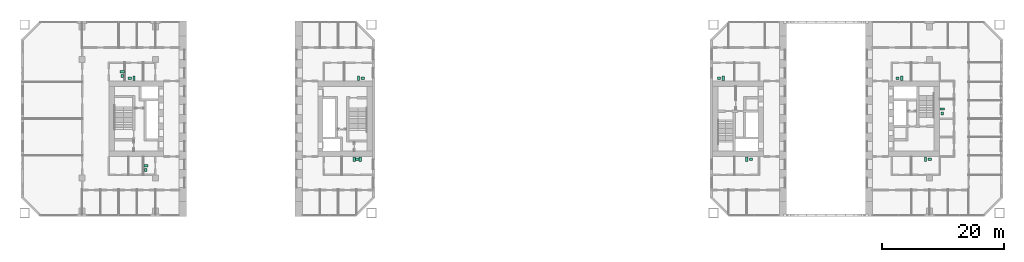
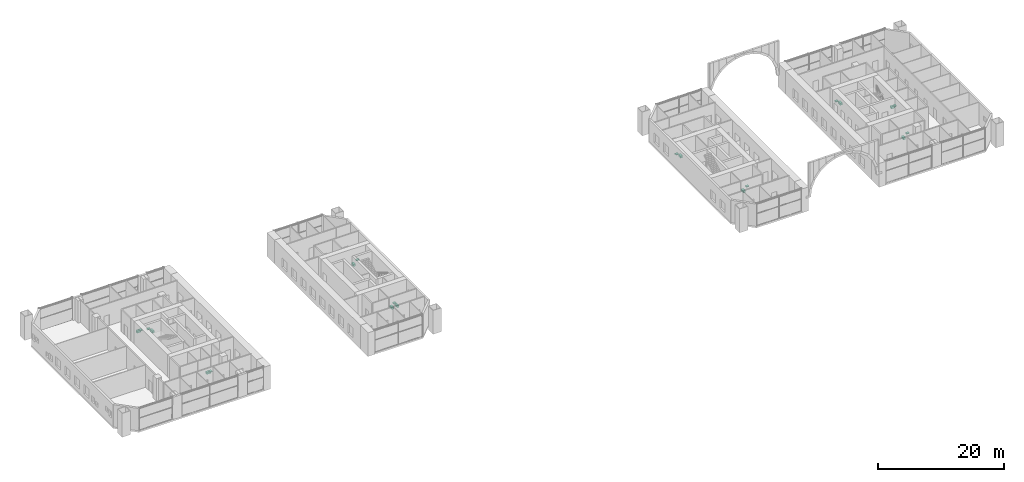
# One storey, part 21 of 21: 21 sanitary terminals.
"""IFC4 building model written with IfcOpenShell, lengths in metres."""

from ifc_helpers import new_model, si_unit, direction, frame, origin, origin_2d, place, context, subcontext, project, spatial, rectangle, extrude, element, save


model = new_model("IFC4")

# Units and contexts
model_context = context("Model", 3, precision=1e-05, world=origin(), true_north=direction((0.0, 1.0)))
body_context = subcontext(model_context, "Body", "Model", "MODEL_VIEW")
ifc_project = project(units=[si_unit("LENGTHUNIT", "METRE"), si_unit("AREAUNIT", "SQUARE_METRE"), si_unit("VOLUMEUNIT", "CUBIC_METRE"), si_unit("PLANEANGLEUNIT", "RADIAN"), si_unit("MASSUNIT", "GRAM", prefix="KILO")], contexts=[model_context])

# Site, building, storey
site_placement = place(None, origin())
site = spatial("IfcSite", under=ifc_project, at=site_placement, CompositionType="ELEMENT")
building_placement = place(site_placement, origin())
building = spatial("IfcBuilding", under=site, at=building_placement, Name="Tuart Gate Housing", CompositionType="ELEMENT")
storey_placement = place(building_placement, frame((0.0, 0.0, 5.5)))
storey = spatial("IfcBuildingStorey", under=building, at=storey_placement, Name="L01", CompositionType="ELEMENT", Elevation=5.5)

# Sanitary terminals
sanitary_terminal_1_placement = place(storey_placement, frame((38.449951171875, 62.300048828125, 0.0), z_axis=(0.0, 0.0, 1.0), x_axis=(1.0, 0.0, 0.0)))
element("IfcSanitaryTerminal", 1, at=sanitary_terminal_1_placement, inside=storey, Name="Water closet", PredefinedType="TOILETPAN", context=body_context, shape_type="SweptSolid", body=[
    extrude(rectangle(XDim=0.699951171875, YDim=0.39990234375, at=origin_2d()), origin(), (0.0, 0.0, 1.0), 0.39990234375),
])
sanitary_terminal_2_placement = place(storey_placement, frame((38.449951171875, 61.60009765625, 0.75), z_axis=(0.0, 0.0, 1.0), x_axis=(1.0, 0.0, 0.0)))
element("IfcSanitaryTerminal", 2, at=sanitary_terminal_2_placement, inside=storey, Name="Wash basin", PredefinedType="WASHHANDBASIN", context=body_context, shape_type="SweptSolid", body=[
    extrude(rectangle(XDim=0.39990234375, YDim=0.5, at=origin_2d()), origin(), (0.0, 0.0, 1.0), 0.199951171875),
])
sanitary_terminal_3_placement = place(storey_placement, frame((34.550048828125, 77.699951171875, 0.0), z_axis=(0.0, 0.0, 1.0), x_axis=(1.0, 0.0, 0.0)))
element("IfcSanitaryTerminal", 3, at=sanitary_terminal_3_placement, inside=storey, Name="Water closet", PredefinedType="TOILETPAN", context=body_context, shape_type="SweptSolid", body=[
    extrude(rectangle(XDim=0.699951171875, YDim=0.39990234375, at=origin_2d()), origin(), (0.0, 0.0, 1.0), 0.39990234375),
])
sanitary_terminal_4_placement = place(storey_placement, frame((34.550048828125, 77.0, 0.75), z_axis=(0.0, 0.0, 1.0), x_axis=(1.0, 0.0, 0.0)))
element("IfcSanitaryTerminal", 4, at=sanitary_terminal_4_placement, inside=storey, Name="Wash basin", PredefinedType="WASHHANDBASIN", context=body_context, shape_type="SweptSolid", body=[
    extrude(rectangle(XDim=0.39990234375, YDim=0.5, at=origin_2d()), origin(), (0.0, 0.0, 1.0), 0.199951171875),
])
sanitary_terminal_5_placement = place(storey_placement, frame((36.5, 76.64990234375, 0.0), z_axis=(0.0, 0.0, 1.0), x_axis=(1.0, 0.0, 0.0)))
element("IfcSanitaryTerminal", 5, at=sanitary_terminal_5_placement, inside=storey, Name="Water closet", PredefinedType="TOILETPAN", context=body_context, shape_type="SweptSolid", body=[
    extrude(rectangle(XDim=0.39990234375, YDim=0.699951171875, at=origin_2d()), origin(), (0.0, 0.0, 1.0), 0.39990234375),
])
sanitary_terminal_6_placement = place(storey_placement, frame((35.800048828125, 76.64990234375, 0.75), z_axis=(0.0, 0.0, 1.0), x_axis=(1.0, 0.0, 0.0)))
element("IfcSanitaryTerminal", 6, at=sanitary_terminal_6_placement, inside=storey, Name="Wash basin", PredefinedType="WASHHANDBASIN", context=body_context, shape_type="SweptSolid", body=[
    extrude(rectangle(XDim=0.5, YDim=0.39990234375, at=origin_2d()), origin(), (0.0, 0.0, 1.0), 0.199951171875),
])
for number, where, z_axis, x_axis, name in (
    (7, (72.64501953125, 63.35009765625, 0.0), (0.0, 0.0, 1.0), (1.0, 0.0, 0.0), "Water closet"),
    (8, (73.594970703125, 63.35009765625, 0.0), (0.0, 0.0, 1.0), (1.0, 0.0, 0.0), "Water closet"),
):
    element("IfcSanitaryTerminal", number, at=place(storey_placement, frame(where, z_axis=z_axis, x_axis=x_axis)), inside=storey, Name=name, PredefinedType="TOILETPAN", context=body_context, shape_type="SweptSolid", body=[
        extrude(rectangle(XDim=0.39990234375, YDim=0.699951171875, at=origin_2d()), origin(), (0.0, 0.0, 1.0), 0.39990234375),
    ])
sanitary_terminal_7_placement = place(storey_placement, frame((73.1201171875, 63.35009765625, 0.75), z_axis=(0.0, 0.0, 1.0), x_axis=(1.0, 0.0, 0.0)))
element("IfcSanitaryTerminal", 9, at=sanitary_terminal_7_placement, inside=storey, Name="Wash basin", PredefinedType="WASHHANDBASIN", context=body_context, shape_type="SweptSolid", body=[
    extrude(rectangle(XDim=0.5, YDim=0.39990234375, at=origin_2d()), origin(), (0.0, 0.0, 1.0), 0.199951171875),
])
sanitary_terminal_8_placement = place(storey_placement, frame((73.320068359375, 76.64990234375, 0.0), z_axis=(0.0, 0.0, 1.0), x_axis=(1.0, 0.0, 0.0)))
element("IfcSanitaryTerminal", 10, at=sanitary_terminal_8_placement, inside=storey, Name="Water closet", PredefinedType="TOILETPAN", context=body_context, shape_type="SweptSolid", body=[
    extrude(rectangle(XDim=0.39990234375, YDim=0.699951171875, at=origin_2d()), origin(), (0.0, 0.0, 1.0), 0.39990234375),
])
sanitary_terminal_9_placement = place(storey_placement, frame((74.02001953125, 76.64990234375, 0.75), z_axis=(0.0, 0.0, 1.0), x_axis=(1.0, 0.0, 0.0)))
element("IfcSanitaryTerminal", 11, at=sanitary_terminal_9_placement, inside=storey, Name="Wash basin", PredefinedType="WASHHANDBASIN", context=body_context, shape_type="SweptSolid", body=[
    extrude(rectangle(XDim=0.5, YDim=0.39990234375, at=origin_2d()), origin(), (0.0, 0.0, 1.0), 0.199951171875),
])
sanitary_terminal_10_placement = place(storey_placement, frame((137.0, 63.35009765625, 0.0), z_axis=(0.0, 0.0, 1.0), x_axis=(1.0, 0.0, 0.0)))
element("IfcSanitaryTerminal", 12, at=sanitary_terminal_10_placement, inside=storey, Name="Water closet", PredefinedType="TOILETPAN", context=body_context, shape_type="SweptSolid", body=[
    extrude(rectangle(XDim=0.39990234375, YDim=0.699951171875, at=origin_2d()), origin(), (0.0, 0.0, 1.0), 0.39990234375),
])
sanitary_terminal_11_placement = place(storey_placement, frame((137.699951171875, 63.35009765625, 0.75), z_axis=(0.0, 0.0, 1.0), x_axis=(1.0, 0.0, 0.0)))
element("IfcSanitaryTerminal", 13, at=sanitary_terminal_11_placement, inside=storey, Name="Wash basin", PredefinedType="WASHHANDBASIN", context=body_context, shape_type="SweptSolid", body=[
    extrude(rectangle(XDim=0.5, YDim=0.39990234375, at=origin_2d()), origin(), (0.0, 0.0, 1.0), 0.199951171875),
])
sanitary_terminal_12_placement = place(storey_placement, frame((133.179931640625, 76.64990234375, 0.0), z_axis=(0.0, 0.0, 1.0), x_axis=(1.0, 0.0, 0.0)))
element("IfcSanitaryTerminal", 14, at=sanitary_terminal_12_placement, inside=storey, Name="Water closet", PredefinedType="TOILETPAN", context=body_context, shape_type="SweptSolid", body=[
    extrude(rectangle(XDim=0.39990234375, YDim=0.699951171875, at=origin_2d()), origin(), (0.0, 0.0, 1.0), 0.39990234375),
])
sanitary_terminal_13_placement = place(storey_placement, frame((132.47998046875, 76.64990234375, 0.75), z_axis=(0.0, 0.0, 1.0), x_axis=(1.0, 0.0, 0.0)))
element("IfcSanitaryTerminal", 15, at=sanitary_terminal_13_placement, inside=storey, Name="Wash basin", PredefinedType="WASHHANDBASIN", context=body_context, shape_type="SweptSolid", body=[
    extrude(rectangle(XDim=0.5, YDim=0.39990234375, at=origin_2d()), origin(), (0.0, 0.0, 1.0), 0.199951171875),
])
sanitary_terminal_14_placement = place(storey_placement, frame((166.320068359375, 63.35009765625, 0.0), z_axis=(0.0, 0.0, 1.0), x_axis=(1.0, 0.0, 0.0)))
element("IfcSanitaryTerminal", 16, at=sanitary_terminal_14_placement, inside=storey, Name="Water closet", PredefinedType="TOILETPAN", context=body_context, shape_type="SweptSolid", body=[
    extrude(rectangle(XDim=0.39990234375, YDim=0.699951171875, at=origin_2d()), origin(), (0.0, 0.0, 1.0), 0.39990234375),
])
sanitary_terminal_15_placement = place(storey_placement, frame((167.02001953125, 63.35009765625, 0.75), z_axis=(0.0, 0.0, 1.0), x_axis=(1.0, 0.0, 0.0)))
element("IfcSanitaryTerminal", 17, at=sanitary_terminal_15_placement, inside=storey, Name="Wash basin", PredefinedType="WASHHANDBASIN", context=body_context, shape_type="SweptSolid", body=[
    extrude(rectangle(XDim=0.5, YDim=0.39990234375, at=origin_2d()), origin(), (0.0, 0.0, 1.0), 0.199951171875),
])
sanitary_terminal_16_placement = place(storey_placement, frame((162.39990234375, 76.64990234375, 0.0), z_axis=(0.0, 0.0, 1.0), x_axis=(1.0, 0.0, 0.0)))
element("IfcSanitaryTerminal", 18, at=sanitary_terminal_16_placement, inside=storey, Name="Water closet", PredefinedType="TOILETPAN", context=body_context, shape_type="SweptSolid", body=[
    extrude(rectangle(XDim=0.39990234375, YDim=0.699951171875, at=origin_2d()), origin(), (0.0, 0.0, 1.0), 0.39990234375),
])
sanitary_terminal_17_placement = place(storey_placement, frame((161.699951171875, 76.64990234375, 0.75), z_axis=(0.0, 0.0, 1.0), x_axis=(1.0, 0.0, 0.0)))
element("IfcSanitaryTerminal", 19, at=sanitary_terminal_17_placement, inside=storey, Name="Wash basin", PredefinedType="WASHHANDBASIN", context=body_context, shape_type="SweptSolid", body=[
    extrude(rectangle(XDim=0.5, YDim=0.39990234375, at=origin_2d()), origin(), (0.0, 0.0, 1.0), 0.199951171875),
])
sanitary_terminal_18_placement = place(storey_placement, frame((169.090087890625, 71.60009765625, 0.0), z_axis=(0.0, 0.0, 1.0), x_axis=(1.0, 0.0, 0.0)))
element("IfcSanitaryTerminal", 20, at=sanitary_terminal_18_placement, inside=storey, Name="Water closet", PredefinedType="TOILETPAN", context=body_context, shape_type="SweptSolid", body=[
    extrude(rectangle(XDim=0.699951171875, YDim=0.39990234375, at=origin_2d()), origin(), (0.0, 0.0, 1.0), 0.39990234375),
])
sanitary_terminal_19_placement = place(storey_placement, frame((169.090087890625, 70.89990234375, 0.75), z_axis=(0.0, 0.0, 1.0), x_axis=(1.0, 0.0, 0.0)))
element("IfcSanitaryTerminal", 21, at=sanitary_terminal_19_placement, inside=storey, Name="Wash basin", PredefinedType="WASHHANDBASIN", context=body_context, shape_type="SweptSolid", body=[
    extrude(rectangle(XDim=0.39990234375, YDim=0.5, at=origin_2d()), origin(), (0.0, 0.0, 1.0), 0.199951171875),
])

save(model, "model.ifc")
